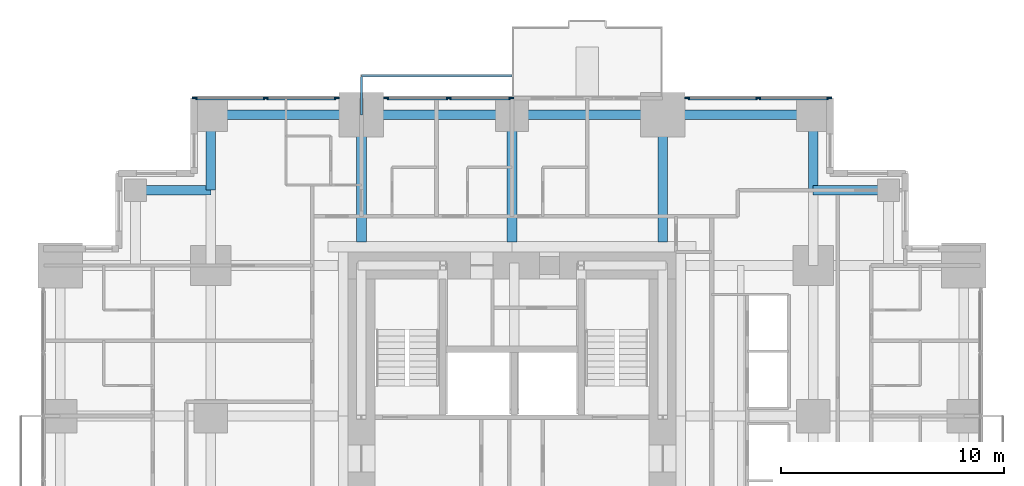
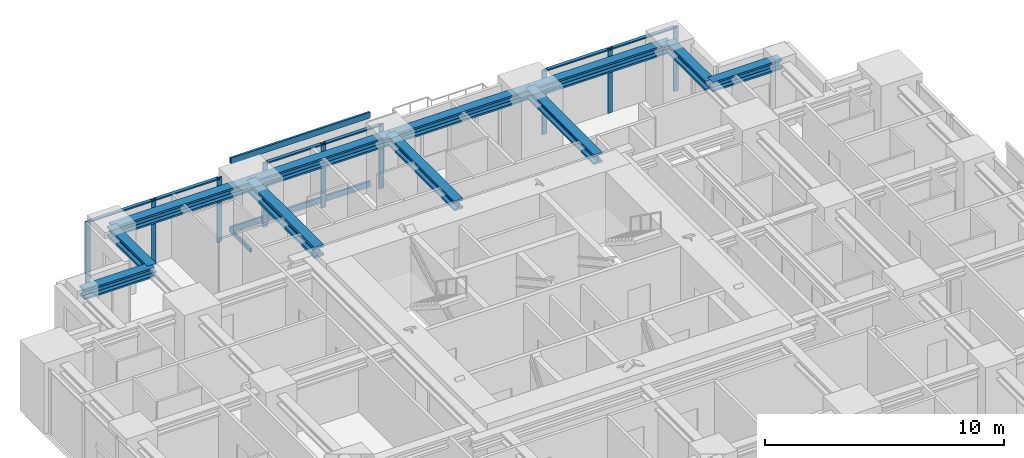
# One storey, part 5 of 12: 18 members, 11 beams, 3 elements without a shape of their own.
"""IFC4 building model written with IfcOpenShell, lengths in metres."""

from ifc_helpers import new_model, si_unit, direction, frame, origin, origin_2d, place, context, subcontext, project, spatial, rectangle, hollow_rectangle, i_section, extrude, material, material_profile, profile_set, type_object, element, aggregate, save


model = new_model("IFC4")

# Units and contexts
model_context = context("Model", 3, precision=1e-05, world=origin(), true_north=direction((0.0, 1.0)))
body_context = subcontext(model_context, "Body", "Model", "MODEL_VIEW")
ifc_project = project(units=[si_unit("LENGTHUNIT", "METRE"), si_unit("AREAUNIT", "SQUARE_METRE"), si_unit("VOLUMEUNIT", "CUBIC_METRE"), si_unit("PLANEANGLEUNIT", "RADIAN"), si_unit("MASSUNIT", "GRAM", prefix="KILO")], contexts=[model_context])

# Site, building, storey
site_placement = place(None, origin())
site = spatial("IfcSite", under=ifc_project, at=site_placement, CompositionType="ELEMENT")
building_placement = place(site_placement, origin())
building = spatial("IfcBuilding", under=site, at=building_placement, Name="Nyansa Garden Tower", CompositionType="ELEMENT")
storey_placement = place(building_placement, frame((0.0, 0.0, 134.10009765625)))
storey = spatial("IfcBuildingStorey", under=building, at=storey_placement, Name="L36", CompositionType="ELEMENT", Elevation=134.10009765625)

# Curtain wall, members
ifc_material_1 = material(Name="Black anodised aluminium, dark tinted double glazing", Category="aluminium")
curtain_wall_type = type_object("IfcCurtainWallType", Name="Inner skin curtain wall ISW-B", PredefinedType="USERDEFINED", material=ifc_material_1)
curtain_wall_1_placement = place(storey_placement, origin())
curtain_wall_1 = element("IfcCurtainWall", 1, at=curtain_wall_1_placement, inside=storey, type_object=curtain_wall_type, Name="Inner skin curtain wall L36 N", ObjectType="UNITISED CURTAIN WALL", PredefinedType="USERDEFINED")
ifc_material_2 = material(Name="Black anodised aluminium", Category="aluminium")
ifc_material_profile_1 = material_profile(ifc_material_2, rectangle(XDim=0.06494140625, YDim=0.22509765625, at=origin_2d()), Name="Mullion 225x65")
ifc_profile_set_1 = profile_set([ifc_material_profile_1], Name="Black anodised aluminium")
member_type_1 = type_object("IfcMemberType", Name="Mullion ISW-B 225x65", PredefinedType="MULLION", material=ifc_profile_set_1)
member_1_placement = place(storey_placement, frame((20.217529296875, 34.5, 0.0), z_axis=(0.0, 0.0, 1.0), x_axis=(0.0, -1.0, 0.0)))
member_1 = element("IfcMember", 2, at=member_1_placement, type_object=member_type_1, Name="ISW-B mullion 1", PredefinedType="MULLION", context=body_context, shape_type="SweptSolid", body=[
    extrude(rectangle(XDim=0.06494140625, YDim=0.22509765625, at=origin_2d()), origin(), (0.0, 0.0, 1.0), 3.2998046875),
])
member_2_placement = place(storey_placement, frame((17.4150390625, 34.5, 0.0), z_axis=(0.0, 0.0, 1.0), x_axis=(0.0, -1.0, 0.0)))
member_2 = element("IfcMember", 3, at=member_2_placement, type_object=member_type_1, Name="ISW-B mullion 2", PredefinedType="MULLION", context=body_context, shape_type="SweptSolid", body=[
    extrude(rectangle(XDim=0.06494140625, YDim=0.22509765625, at=origin_2d()), origin(), (0.0, 0.0, 1.0), 3.2998046875),
])
member_3_placement = place(storey_placement, frame((14.612548828125, 34.5, 0.0), z_axis=(0.0, 0.0, 1.0), x_axis=(0.0, -1.0, 0.0)))
member_3 = element("IfcMember", 4, at=member_3_placement, type_object=member_type_1, Name="ISW-B mullion 3", PredefinedType="MULLION", context=body_context, shape_type="SweptSolid", body=[
    extrude(rectangle(XDim=0.06494140625, YDim=0.22509765625, at=origin_2d()), origin(), (0.0, 0.0, 1.0), 3.2998046875),
])

curtain_wall_2_placement = place(storey_placement, origin())
curtain_wall_2 = element("IfcCurtainWall", 5, at=curtain_wall_2_placement, inside=storey, type_object=curtain_wall_type, Name="Inner skin curtain wall L36 N", ObjectType="UNITISED CURTAIN WALL", PredefinedType="USERDEFINED")
member_4_placement = place(storey_placement, frame((12.387451171875, 34.5, 0.0), z_axis=(0.0, 0.0, 1.0), x_axis=(0.0, -1.0, 0.0)))
member_4 = element("IfcMember", 6, at=member_4_placement, type_object=member_type_1, Name="ISW-B mullion 1", PredefinedType="MULLION", context=body_context, shape_type="SweptSolid", body=[
    extrude(rectangle(XDim=0.06494140625, YDim=0.22509765625, at=origin_2d()), origin(), (0.0, 0.0, 1.0), 3.2998046875),
])
member_5_placement = place(storey_placement, frame((9.2099609375, 34.5, 0.0), z_axis=(0.0, 0.0, 1.0), x_axis=(0.0, -1.0, 0.0)))
member_5 = element("IfcMember", 7, at=member_5_placement, type_object=member_type_1, Name="ISW-B mullion 2", PredefinedType="MULLION", context=body_context, shape_type="SweptSolid", body=[
    extrude(rectangle(XDim=0.06494140625, YDim=0.22509765625, at=origin_2d()), origin(), (0.0, 0.0, 1.0), 3.2998046875),
])
member_6_placement = place(storey_placement, frame((6.032470703125, 34.5, 0.0), z_axis=(0.0, 0.0, 1.0), x_axis=(0.0, -1.0, 0.0)))
member_6 = element("IfcMember", 8, at=member_6_placement, type_object=member_type_1, Name="ISW-B mullion 3", PredefinedType="MULLION", context=body_context, shape_type="SweptSolid", body=[
    extrude(rectangle(XDim=0.06494140625, YDim=0.22509765625, at=origin_2d()), origin(), (0.0, 0.0, 1.0), 3.2998046875),
])

curtain_wall_3_placement = place(storey_placement, origin())
curtain_wall_3 = element("IfcCurtainWall", 9, at=curtain_wall_3_placement, inside=storey, type_object=curtain_wall_type, Name="Inner skin curtain wall L36 N", ObjectType="UNITISED CURTAIN WALL", PredefinedType="USERDEFINED")
member_7_placement = place(storey_placement, frame((34.467529296875, 34.5, 0.0), z_axis=(0.0, 0.0, 1.0), x_axis=(0.0, -1.0, 0.0)))
member_7 = element("IfcMember", 10, at=member_7_placement, type_object=member_type_1, Name="ISW-B mullion 1", PredefinedType="MULLION", context=body_context, shape_type="SweptSolid", body=[
    extrude(rectangle(XDim=0.06494140625, YDim=0.22509765625, at=origin_2d()), origin(), (0.0, 0.0, 1.0), 3.2998046875),
])
member_8_placement = place(storey_placement, frame((31.2900390625, 34.5, 0.0), z_axis=(0.0, 0.0, 1.0), x_axis=(0.0, -1.0, 0.0)))
member_8 = element("IfcMember", 11, at=member_8_placement, type_object=member_type_1, Name="ISW-B mullion 2", PredefinedType="MULLION", context=body_context, shape_type="SweptSolid", body=[
    extrude(rectangle(XDim=0.06494140625, YDim=0.22509765625, at=origin_2d()), origin(), (0.0, 0.0, 1.0), 3.2998046875),
])
member_9_placement = place(storey_placement, frame((28.112548828125, 34.5, 0.0), z_axis=(0.0, 0.0, 1.0), x_axis=(0.0, -1.0, 0.0)))
member_9 = element("IfcMember", 12, at=member_9_placement, type_object=member_type_1, Name="ISW-B mullion 3", PredefinedType="MULLION", context=body_context, shape_type="SweptSolid", body=[
    extrude(rectangle(XDim=0.06494140625, YDim=0.22509765625, at=origin_2d()), origin(), (0.0, 0.0, 1.0), 3.2998046875),
])

# Members
ifc_material_3 = material(Name="Steel S355, black powder coated", Category="steel")
ifc_material_profile_2 = material_profile(ifc_material_3, hollow_rectangle(XDim=0.10009765625, YDim=0.199951171875, WallThickness=0.008056640625, at=origin_2d()), Name="RHS 200x100x8")
ifc_profile_set_2 = profile_set([ifc_material_profile_2], Name="Steel S355, black powder coated")
member_type_2 = type_object("IfcMemberType", Name="Outer skin bracket arm RHS 200x100x8", PredefinedType="USERDEFINED", material=ifc_profile_set_2)
member_10_placement = place(storey_placement, frame((13.5, 33.75, -0.375), z_axis=(0.0, 1.0, 0.0), x_axis=(-1.0, 0.0, 0.0)))
element("IfcMember", 13, at=member_10_placement, inside=storey, type_object=member_type_2, Name="Outer skin bracket arm", ObjectType="OUTER SKIN BRACKET", PredefinedType="USERDEFINED", context=body_context, shape_type="SweptSolid", body=[
    extrude(hollow_rectangle(XDim=0.10009765625, YDim=0.199951171875, WallThickness=0.008056640625, at=origin_2d()), origin(), (0.0, 0.0, 1.0), 1.75),
])
ifc_material_4 = material(Name="Steel S355, black powder coated", Category="steel")
ifc_material_profile_3 = material_profile(ifc_material_4, hollow_rectangle(XDim=0.10009765625, YDim=0.300048828125, WallThickness=0.010009765625, at=origin_2d()), Name="RHS 300x100x10")
ifc_profile_set_3 = profile_set([ifc_material_profile_3], Name="Steel S355, black powder coated")
member_type_3 = type_object("IfcMemberType", Name="Outer skin rail RHS 300x100x10", PredefinedType="USERDEFINED", material=ifc_profile_set_3)
for number, where, z_axis, x_axis, name in (
    (14, (13.5, 35.5, -0.375), (1.0, 0.0, 0.0), (0.0, 1.0, 0.0), "Outer skin rail L36"),
    (15, (13.5, 35.5, 3.14990234375), (1.0, 0.0, 0.0), (0.0, 1.0, 0.0), "Outer skin rail L36 head"),
):
    element("IfcMember", number, at=place(storey_placement, frame(where, z_axis=z_axis, x_axis=x_axis)), inside=storey, type_object=member_type_3, Name=name, ObjectType="OUTER SKIN RAIL", PredefinedType="USERDEFINED", context=body_context, shape_type="SweptSolid", body=[
        extrude(hollow_rectangle(XDim=0.10009765625, YDim=0.300048828125, WallThickness=0.010009765625, at=origin_2d()), origin(), (0.0, 0.0, 1.0), 6.75),
    ])

# Beams
ifc_material_5 = material(Name="Steel S355", Category="steel")
ifc_material_profile_4 = material_profile(ifc_material_5, i_section(OverallWidth=0.431884765625, OverallDepth=0.498046875, WebThickness=0.0556640625, FlangeThickness=0.0888671875, FilletRadius=0.014892578125, at=origin_2d()), Name="HD 400x744")
ifc_profile_set_4 = profile_set([ifc_material_profile_4], Name="Steel S355")
beam_type_1 = type_object("IfcBeamType", Name="Steel beam SBB2-744 HD 400x744", PredefinedType="BEAM", material=ifc_profile_set_4)
beam_1_placement = place(storey_placement, frame((20.25, 28.050048828125, 3.05078125), z_axis=(0.0, 1.0, 0.0), x_axis=(-1.0, 0.0, 0.0)))
element("IfcBeam", 16, at=beam_1_placement, inside=storey, type_object=beam_type_1, Name="Steel beam 5/28.050-5/J L37", PredefinedType="BEAM", context=body_context, shape_type="SweptSolid", body=[
    extrude(i_section(OverallWidth=0.431884765625, OverallDepth=0.498046875, WebThickness=0.0556640625, FlangeThickness=0.0888671875, FilletRadius=0.014892578125, at=origin_2d()), origin(), (0.0, 0.0, 1.0), 5.699951171875),
])
ifc_material_6 = material(Name="Steel S355", Category="steel")
ifc_material_profile_5 = material_profile(ifc_material_6, i_section(OverallWidth=0.431884765625, OverallDepth=0.498046875, WebThickness=0.0556640625, FlangeThickness=0.0888671875, FilletRadius=0.014892578125, at=origin_2d()), Name="HD 400x744")
ifc_profile_set_5 = profile_set([ifc_material_profile_5], Name="Steel S355")
beam_type_2 = type_object("IfcBeamType", Name="Steel beam SEBB-744 HD 400x744", PredefinedType="BEAM", material=ifc_profile_set_5)
for number, where, z_axis, x_axis, name in (
    (17, (6.75, 33.75, 3.05078125), (1.0, 0.0, 0.0), (0.0, 1.0, 0.0), "Steel edge beam 3/J-4/J L37"),
    (18, (13.5, 33.75, 3.05078125), (1.0, 0.0, 0.0), (0.0, 1.0, 0.0), "Steel edge beam 4/J-5/J L37"),
    (19, (20.25, 33.75, 3.05078125), (1.0, 0.0, 0.0), (0.0, 1.0, 0.0), "Steel edge beam 5/J-6/J L37"),
    (20, (27.0, 33.75, 3.05078125), (1.0, 0.0, 0.0), (0.0, 1.0, 0.0), "Steel edge beam 6/J-7/J L37"),
):
    element("IfcBeam", number, at=place(storey_placement, frame(where, z_axis=z_axis, x_axis=x_axis)), inside=storey, type_object=beam_type_2, Name=name, PredefinedType="BEAM", context=body_context, shape_type="SweptSolid", body=[
        extrude(i_section(OverallWidth=0.431884765625, OverallDepth=0.498046875, WebThickness=0.0556640625, FlangeThickness=0.0888671875, FilletRadius=0.014892578125, at=origin_2d()), origin(), (0.0, 0.0, 1.0), 6.75),
    ])
ifc_material_7 = material(Name="Steel S355", Category="steel")
ifc_material_profile_6 = material_profile(ifc_material_7, i_section(OverallWidth=0.431884765625, OverallDepth=0.498046875, WebThickness=0.0556640625, FlangeThickness=0.0888671875, FilletRadius=0.014892578125, at=origin_2d()), Name="HD 400x744")
ifc_profile_set_6 = profile_set([ifc_material_profile_6], Name="Steel S355")
beam_type_3 = type_object("IfcBeamType", Name="Steel beam SEBB2-744 HD 400x744", PredefinedType="BEAM", material=ifc_profile_set_6)
for number, where, z_axis, x_axis, name in (
    (21, (6.75, 30.375, 3.05078125), (0.0, 1.0, 0.0), (-1.0, 0.0, 0.0), "Steel edge beam 3/30.375-3/J L37"),
    (22, (33.75, 30.375, 3.05078125), (0.0, 1.0, 0.0), (-1.0, 0.0, 0.0), "Steel edge beam 7/30.375-7/J L37"),
):
    element("IfcBeam", number, at=place(storey_placement, frame(where, z_axis=z_axis, x_axis=x_axis)), inside=storey, type_object=beam_type_3, Name=name, PredefinedType="BEAM", context=body_context, shape_type="SweptSolid", body=[
        extrude(i_section(OverallWidth=0.431884765625, OverallDepth=0.498046875, WebThickness=0.0556640625, FlangeThickness=0.0888671875, FilletRadius=0.014892578125, at=origin_2d()), origin(), (0.0, 0.0, 1.0), 3.375),
    ])
ifc_material_8 = material(Name="Steel S355", Category="steel")
ifc_material_profile_7 = material_profile(ifc_material_8, i_section(OverallWidth=0.4541015625, OverallDepth=0.569091796875, WebThickness=0.077880859375, FlangeThickness=0.125, FilletRadius=0.014892578125, at=origin_2d()), Name="HD 400x1086")
ifc_profile_set_7 = profile_set([ifc_material_profile_7], Name="Steel S355")
beam_type_4 = type_object("IfcBeamType", Name="Steel beam SOC1-1086 HD 400x1086", PredefinedType="BEAM", material=ifc_profile_set_7)
beam_2_placement = place(storey_placement, frame((13.5, 28.050048828125, 3.015380859375), z_axis=(0.0, 1.0, 0.0), x_axis=(-1.0, 0.0, 0.0)))
element("IfcBeam", 23, at=beam_2_placement, inside=storey, type_object=beam_type_4, Name="Steel beam 4/28.050-4/J L37", PredefinedType="BEAM", context=body_context, shape_type="SweptSolid", body=[
    extrude(i_section(OverallWidth=0.4541015625, OverallDepth=0.569091796875, WebThickness=0.077880859375, FlangeThickness=0.125, FilletRadius=0.014892578125, at=origin_2d()), origin(), (0.0, 0.0, 1.0), 5.699951171875),
])
ifc_material_9 = material(Name="Steel S355", Category="steel")
ifc_material_profile_8 = material_profile(ifc_material_9, i_section(OverallWidth=0.431884765625, OverallDepth=0.498046875, WebThickness=0.0556640625, FlangeThickness=0.0888671875, FilletRadius=0.014892578125, at=origin_2d()), Name="HD 400x744")
ifc_profile_set_8 = profile_set([ifc_material_profile_8], Name="Steel S355")
beam_type_5 = type_object("IfcBeamType", Name="Steel beam SOC1-744 HD 400x744", PredefinedType="BEAM", material=ifc_profile_set_8)
beam_3_placement = place(storey_placement, frame((27.0, 28.050048828125, 3.05078125), z_axis=(0.0, 1.0, 0.0), x_axis=(-1.0, 0.0, 0.0)))
element("IfcBeam", 24, at=beam_3_placement, inside=storey, type_object=beam_type_5, Name="Steel beam 6/28.050-6/J L37", PredefinedType="BEAM", context=body_context, shape_type="SweptSolid", body=[
    extrude(i_section(OverallWidth=0.431884765625, OverallDepth=0.498046875, WebThickness=0.0556640625, FlangeThickness=0.0888671875, FilletRadius=0.014892578125, at=origin_2d()), origin(), (0.0, 0.0, 1.0), 5.699951171875),
])
ifc_material_10 = material(Name="Steel S355", Category="steel")
ifc_material_profile_9 = material_profile(ifc_material_10, i_section(OverallWidth=0.431884765625, OverallDepth=0.498046875, WebThickness=0.0556640625, FlangeThickness=0.0888671875, FilletRadius=0.014892578125, at=origin_2d()), Name="HD 400x744")
ifc_profile_set_9 = profile_set([ifc_material_profile_9], Name="Steel S355")
beam_type_6 = type_object("IfcBeamType", Name="Steel beam SSB1-744 HD 400x744", PredefinedType="BEAM", material=ifc_profile_set_9)
for number, where, z_axis, x_axis, name in (
    (25, (37.125, 30.375, 3.05078125), (-1.0, 0.0, 0.0), (0.0, -1.0, 0.0), "Steel step beam 37.125/30.375 L37"),
    (26, (3.375, 30.375, 3.05078125), (1.0, 0.0, 0.0), (0.0, 1.0, 0.0), "Steel step beam 3.375/30.375 L37"),
):
    element("IfcBeam", number, at=place(storey_placement, frame(where, z_axis=z_axis, x_axis=x_axis)), inside=storey, type_object=beam_type_6, Name=name, PredefinedType="BEAM", context=body_context, shape_type="SweptSolid", body=[
        extrude(i_section(OverallWidth=0.431884765625, OverallDepth=0.498046875, WebThickness=0.0556640625, FlangeThickness=0.0888671875, FilletRadius=0.014892578125, at=origin_2d()), origin(), (0.0, 0.0, 1.0), 3.375),
    ])

# Member
ifc_material_11 = material(Name="Black anodised aluminium", Category="aluminium")
ifc_material_profile_10 = material_profile(ifc_material_11, rectangle(XDim=0.1650390625, YDim=0.06494140625, at=origin_2d()), Name="Transom 165x65")
ifc_profile_set_10 = profile_set([ifc_material_profile_10], Name="Black anodised aluminium")
member_type_4 = type_object("IfcMemberType", Name="Transom ISW-B 165x65", PredefinedType="USERDEFINED", material=ifc_profile_set_10)
member_11_placement = place(storey_placement, frame((20.18505859375, 34.5, 3.267333984375), z_axis=(-1.0, 0.0, 0.0), x_axis=(0.0, -1.0, 0.0)))
member_11 = element("IfcMember", 27, at=member_11_placement, type_object=member_type_4, Name="ISW-B transom 1", ObjectType="TRANSOM", PredefinedType="USERDEFINED", context=body_context, shape_type="SweptSolid", body=[
    extrude(rectangle(XDim=0.1650390625, YDim=0.06494140625, at=origin_2d()), origin(), (0.0, 0.0, 1.0), 2.737548828125),
])

member_12_placement = place(storey_placement, frame((17.382568359375, 34.5, 3.267333984375), z_axis=(-1.0, 0.0, 0.0), x_axis=(0.0, -1.0, 0.0)))
member_12 = element("IfcMember", 28, at=member_12_placement, type_object=member_type_4, Name="ISW-B transom 2", ObjectType="TRANSOM", PredefinedType="USERDEFINED", context=body_context, shape_type="SweptSolid", body=[
    extrude(rectangle(XDim=0.1650390625, YDim=0.06494140625, at=origin_2d()), origin(), (0.0, 0.0, 1.0), 2.737548828125),
])

aggregate(curtain_wall_1, [member_1, member_2, member_3, member_11, member_12])

member_13_placement = place(storey_placement, frame((12.35498046875, 34.5, 3.267333984375), z_axis=(-1.0, 0.0, 0.0), x_axis=(0.0, -1.0, 0.0)))
member_13 = element("IfcMember", 29, at=member_13_placement, type_object=member_type_4, Name="ISW-B transom 1", ObjectType="TRANSOM", PredefinedType="USERDEFINED", context=body_context, shape_type="SweptSolid", body=[
    extrude(rectangle(XDim=0.1650390625, YDim=0.06494140625, at=origin_2d()), origin(), (0.0, 0.0, 1.0), 3.112548828125),
])

member_14_placement = place(storey_placement, frame((9.177490234375, 34.5, 3.267333984375), z_axis=(-1.0, 0.0, 0.0), x_axis=(0.0, -1.0, 0.0)))
member_14 = element("IfcMember", 30, at=member_14_placement, type_object=member_type_4, Name="ISW-B transom 2", ObjectType="TRANSOM", PredefinedType="USERDEFINED", context=body_context, shape_type="SweptSolid", body=[
    extrude(rectangle(XDim=0.1650390625, YDim=0.06494140625, at=origin_2d()), origin(), (0.0, 0.0, 1.0), 3.112548828125),
])

aggregate(curtain_wall_2, [member_4, member_5, member_6, member_13, member_14])

member_15_placement = place(storey_placement, frame((34.43505859375, 34.5, 3.267333984375), z_axis=(-1.0, 0.0, 0.0), x_axis=(0.0, -1.0, 0.0)))
member_15 = element("IfcMember", 31, at=member_15_placement, type_object=member_type_4, Name="ISW-B transom 1", ObjectType="TRANSOM", PredefinedType="USERDEFINED", context=body_context, shape_type="SweptSolid", body=[
    extrude(rectangle(XDim=0.1650390625, YDim=0.06494140625, at=origin_2d()), origin(), (0.0, 0.0, 1.0), 3.112548828125),
])

member_16_placement = place(storey_placement, frame((31.257568359375, 34.5, 3.267333984375), z_axis=(-1.0, 0.0, 0.0), x_axis=(0.0, -1.0, 0.0)))
member_16 = element("IfcMember", 32, at=member_16_placement, type_object=member_type_4, Name="ISW-B transom 2", ObjectType="TRANSOM", PredefinedType="USERDEFINED", context=body_context, shape_type="SweptSolid", body=[
    extrude(rectangle(XDim=0.1650390625, YDim=0.06494140625, at=origin_2d()), origin(), (0.0, 0.0, 1.0), 3.112548828125),
])

aggregate(curtain_wall_3, [member_7, member_8, member_9, member_15, member_16])

save(model, "model.ifc")
